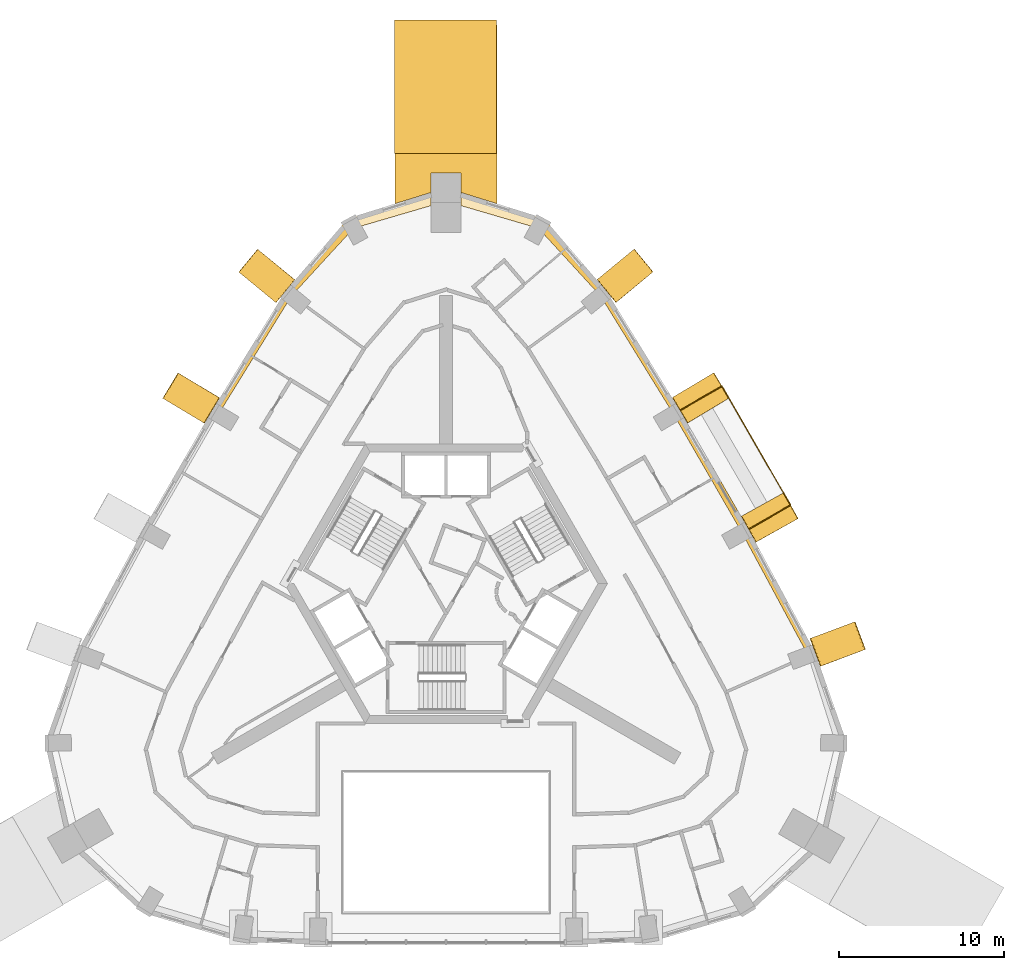
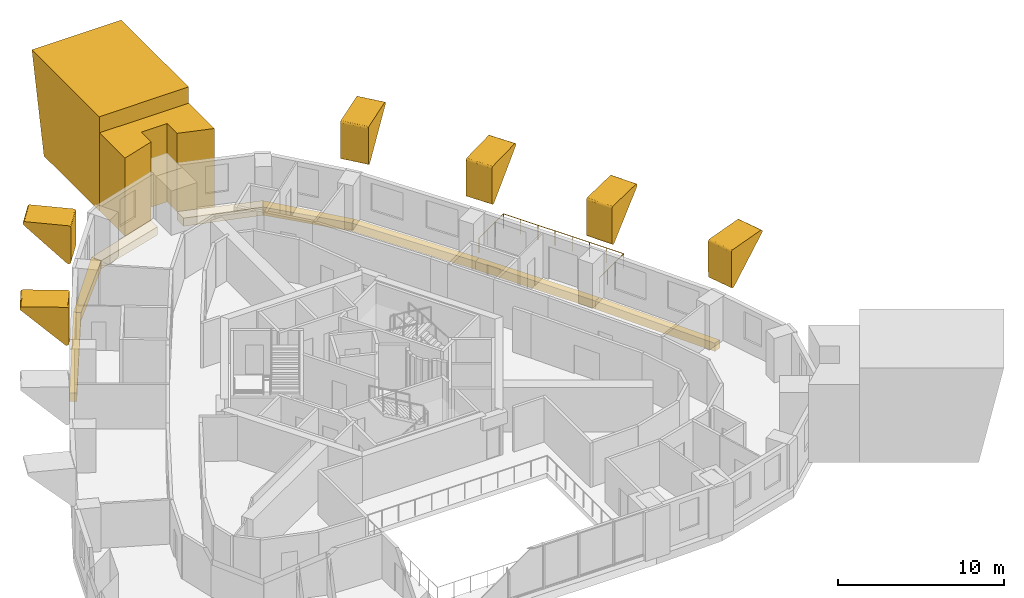
# One storey, part 11 of 11: 16 coverings, 1 railing.
"""IFC4 building model written with IfcOpenShell, lengths in metres."""

from ifc_helpers import new_model, si_unit, direction, frame, origin, origin_2d, place, context, subcontext, project, spatial, polyline, circle, outline, extrude, material, type_object, element, save


model = new_model("IFC4")

# Units and contexts
model_context = context("Model", 3, precision=1e-05, world=origin(), true_north=direction((0.0, 1.0)))
body_context = subcontext(model_context, "Body", "Model", "MODEL_VIEW")
ifc_project = project(units=[si_unit("LENGTHUNIT", "METRE"), si_unit("AREAUNIT", "SQUARE_METRE"), si_unit("VOLUMEUNIT", "CUBIC_METRE"), si_unit("PLANEANGLEUNIT", "RADIAN"), si_unit("MASSUNIT", "GRAM", prefix="KILO")], contexts=[model_context])

# Site, building, storey
site_placement = place(None, origin())
site = spatial("IfcSite", under=ifc_project, at=site_placement, CompositionType="ELEMENT")
building_placement = place(site_placement, origin())
building = spatial("IfcBuilding", under=site, at=building_placement, Name="Entoto Arch Interchange Tower", CompositionType="ELEMENT")
storey_placement = place(building_placement, frame((0.0, 0.0, 318.800048828125)))
storey = spatial("IfcBuildingStorey", under=building, at=storey_placement, Name="L75", CompositionType="ELEMENT", Elevation=318.800048828125)

# Railing
ifc_material_1 = material(Name="Stainless steel 1.4301", Category="steel")
railing_type = type_object("IfcRailingType", Name="GUARD 1100 STEEL AND GLASS", PredefinedType="GUARDRAIL", material=ifc_material_1)
railing_placement = place(storey_placement, frame((18.385986328125, 5.797119140625, 0.0)))
element("IfcRailing", 1, at=railing_placement, inside=storey, type_object=railing_type, Name="Balcony guard NE-02 L75", PredefinedType="GUARDRAIL", context=body_context, shape_type="SweptSolid", body=[
    extrude(circle(Radius=0.02392578125, at=origin_2d()), frame((0.0, 0.0, 1.076171875), z_axis=(0.866060182126, 0.499939757307, 0.0), x_axis=(-0.499939757307, 0.866060182126, 0.0)), (0.0, 0.0, 1.0), 2.949951171875),
    extrude(circle(Radius=0.02392578125, at=origin_2d()), frame((2.554931640625, 1.474853515625, 1.076171875), z_axis=(-0.500028026075, 0.866009222318, 0.0), x_axis=(-0.866009222318, -0.500028026075, 0.0)), (0.0, 0.0, 1.0), 8.34521484375),
    extrude(circle(Radius=0.02392578125, at=origin_2d()), frame((-1.617919921875, 8.701904296875, 1.076171875), z_axis=(-0.866045035609, -0.499965995141, 0.0), x_axis=(0.499965995141, -0.866045035609, 0.0)), (0.0, 0.0, 1.0), 2.950439453125),
    extrude(circle(Radius=0.02099609375, at=origin_2d()), origin(), (0.0, 0.0, 1.0), 1.052001953125),
    extrude(circle(Radius=0.02099609375, at=origin_2d()), frame((0.8515625, 0.49169921875, 0.0)), (0.0, 0.0, 1.0), 1.052001953125),
    extrude(circle(Radius=0.02099609375, at=origin_2d()), frame((1.703369140625, 0.983154296875, 0.0)), (0.0, 0.0, 1.0), 1.052001953125),
    extrude(circle(Radius=0.02099609375, at=origin_2d()), frame((2.554931640625, 1.474853515625, 0.0)), (0.0, 0.0, 1.0), 1.052001953125),
    extrude(circle(Radius=0.02099609375, at=origin_2d()), frame((1.958740234375, 2.50732421875, 0.0)), (0.0, 0.0, 1.0), 1.052001953125),
    extrude(circle(Radius=0.02099609375, at=origin_2d()), frame((1.36279296875, 3.539794921875, 0.0)), (0.0, 0.0, 1.0), 1.052001953125),
    extrude(circle(Radius=0.02099609375, at=origin_2d()), frame((0.7666015625, 4.572265625, 0.0)), (0.0, 0.0, 1.0), 1.052001953125),
    extrude(circle(Radius=0.02099609375, at=origin_2d()), frame((0.17041015625, 5.6044921875, 0.0)), (0.0, 0.0, 1.0), 1.052001953125),
    extrude(circle(Radius=0.02099609375, at=origin_2d()), frame((-0.42578125, 6.636962890625, 0.0)), (0.0, 0.0, 1.0), 1.052001953125),
    extrude(circle(Radius=0.02099609375, at=origin_2d()), frame((-1.021728515625, 7.66943359375, 0.0)), (0.0, 0.0, 1.0), 1.052001953125),
    extrude(circle(Radius=0.02099609375, at=origin_2d()), frame((-1.617919921875, 8.701904296875, 0.0)), (0.0, 0.0, 1.0), 1.052001953125),
    extrude(circle(Radius=0.02099609375, at=origin_2d()), frame((-2.4697265625, 8.210205078125, 0.0)), (0.0, 0.0, 1.0), 1.052001953125),
    extrude(circle(Radius=0.02099609375, at=origin_2d()), frame((-3.3212890625, 7.718505859375, 0.0)), (0.0, 0.0, 1.0), 1.052001953125),
    extrude(circle(Radius=0.02099609375, at=origin_2d()), frame((-4.173095703125, 7.226806640625, 0.0)), (0.0, 0.0, 1.0), 1.052001953125),
])

# Coverings
ifc_material_2 = material(Name="Board-marked precast concrete C50/60", Category="concrete")
covering_type_1 = type_object("IfcCoveringType", Name="PRECAST FRAME COURSE", PredefinedType="CLADDING", material=ifc_material_2)
covering_1_placement = place(storey_placement, frame((0.0, 0.0, -0.340087890625)))
element("IfcCovering", 2, at=covering_1_placement, inside=storey, type_object=covering_type_1, Name="Corner pilaster N L75-L76", PredefinedType="CLADDING", context=body_context, shape_type="SweptSolid", body=[
    extrude(outline(polyline([(-3.10009765625, 28.653076171875), (3.10009765625, 28.653076171875), (3.10009765625, 25.587890625), (0.89990234375, 26.27294921875), (0.89990234375, 27.452880859375), (-0.89990234375, 27.452880859375), (-0.89990234375, 26.27294921875), (-3.10009765625, 25.587890625), (-3.10009765625, 28.653076171875)])), origin(), (0.0, 0.0, 1.0), 5.739990234375),
])
covering_2_placement = place(storey_placement, frame((3.10009765625, 28.653076171875, -0.340087890625), z_axis=(0.999995423511, 0.0, 0.003025385437), x_axis=(0.0, 1.0, 0.0)))
element("IfcCovering", 3, at=covering_2_placement, inside=storey, type_object=covering_type_1, Name="Corner rib N L75-L76", PredefinedType="CLADDING", context=body_context, shape_type="SweptSolid", body=[
    extrude(outline(polyline([(0.0, 0.0), (6.679931640625, 0.0), (8.099853515625, 6.939973166960805), (0.0, 6.939973166960805), (0.0, 0.0)])), origin(), (0.0, 0.0, -1.0), 6.199951171875),
])
covering_3_placement = place(storey_placement, frame((22.986083984375, -2.44189453125, 3.83984375), z_axis=(0.350476861258, -0.936565615944, 0.003288883435), x_axis=(-0.77160744127, -0.290733827285, -0.565770093103)))
element("IfcCovering", 4, at=covering_3_placement, inside=storey, type_object=covering_type_1, Name="Fold rib NE01 L75-L76", PredefinedType="CLADDING", context=body_context, shape_type="SweptSolid", body=[
    extrude(outline(polyline([(0.0, 0.0), (0.044011299472285895, 3.469446951953614e-18), (0.08541335322425148, -0.011528531292492837), (0.12194360077555046, -0.035411157895245515), (0.14244897935591438, -0.056587446626764216), (0.16348383985083395, -0.09411235820596175), (0.17285908791050036, -0.13696446279680946), (0.1705449209649729, -0.18008453442460076), (0.15467172871407586, -0.22160304833491418), (-1.2679771288898345, -2.295443264390415), (-1.2869587855508655, -2.317652534504987), (-1.3090201166880573, -2.3362697576770683), (-1.3352745123722027, -2.349937335373267), (-1.3639021860197726, -2.358122963332513), (-1.3932192083614736, -2.361102362750701), (-1.4221800423851143, -2.3581079495479282), (-1.450370305698285, -2.348535800522719), (-1.4761321927407665, -2.334415426537529), (-3.649131987679757, -0.8434117420538527), (-3.672048418721622, -0.8241327506151528), (-3.689816236653382, -0.800987455735261), (-3.7039014634420058, -0.7744437574029011), (-3.711670601378433, -0.7460191503443521), (-3.714496830736909, -0.7162495686335006), (-3.711309349880536, -0.6867554833306728), (-3.7008528088619155, -0.6589900748049502), (-3.6866669798632135, -0.6323054835376998), (-3.667425962540914, -0.6102736032192431), (-3.643435538402648, -0.5926830270108834), (-3.616636727229076, -0.579687361643749), (-3.5876541538899955, -0.571740688273727), (0.0, 0.0)])), origin(), (0.0, 0.0, -1.0), 1.800048828125),
])
covering_4_placement = place(storey_placement, frame((19.0439453125, 5.133056640625, 3.837890625), z_axis=(0.48579100419, -0.874068304559, 0.003420411359), x_axis=(-0.71397931767, -0.399067802035, -0.575307242539)))
element("IfcCovering", 5, at=covering_4_placement, inside=storey, type_object=covering_type_1, Name="Fold rib NE02 L75-L76", PredefinedType="CLADDING", context=body_context, shape_type="SweptSolid", body=[
    extrude(outline(polyline([(0.0, 0.0), (0.04328404741835245, 0.0), (0.08434112830677812, -0.013058467178388475), (0.12117666778784511, -0.036281749712868294), (0.1488537541687778, -0.07067123589675707), (0.16577009135792206, -0.10943648499439892), (0.17041348112728869, -0.15299695273417938), (0.16287564067749366, -0.19545146660099671), (0.15113153049094608, -0.22241164504904384), (-1.2959179761678075, -2.281986670854663), (-1.3155033902523934, -2.303731477761609), (-1.3381292473555293, -2.3218440252259516), (-1.3645247131212856, -2.3352174495301967), (-1.3933599090180673, -2.34299179058173), (-1.4229932879386218, -2.345429687270927), (-1.4518510137498812, -2.342148195948071), (-1.4796038463259786, -2.3324738281146873), (-1.5051096522437095, -2.31812034771824), (-3.6788849805628994, -0.7891526931663861), (-3.7017939737280376, -0.7694587824012902), (-3.7195405840640476, -0.7459292158383557), (-3.73318101481263, -0.7193230234544732), (-3.7409032780505473, -0.6906092801445571), (-3.742809836361798, -0.6612112050073133), (-3.7384884938571608, -0.6311198452942688), (-3.729885086744924, -0.6031430316982334), (-3.714393220269633, -0.5773258076126431), (-3.6941485540434, -0.5548498766871897), (-3.6695980355652535, -0.537792993309143), (-3.643343025669257, -0.5246192590048924), (-3.614505627244239, -0.5180373231492688), (0.0, 0.0)])), origin(), (0.0, 0.0, -1.0), 1.800048828125),
])
covering_5_placement = place(storey_placement, frame((14.89208984375, 12.382080078125, 3.837890625), z_axis=(0.513865893795, -0.857866354491, 0.002676009406), x_axis=(-0.698502327704, -0.42021296773, -0.579237049872)))
element("IfcCovering", 6, at=covering_5_placement, inside=storey, type_object=covering_type_1, Name="Fold rib NE03 L75-L76", PredefinedType="CLADDING", context=body_context, shape_type="SweptSolid", body=[
    extrude(outline(polyline([(0.0, 0.0), (0.042991632081661985, 3.469446951953614e-18), (0.08495869146619389, -0.013946750569420206), (0.12121507623860507, -0.03701481626340409), (0.1482059959728168, -0.07117099461180265), (0.1658205179268352, -0.11064294214737067), (0.17004216291473337, -0.13939726174168846), (0.16604094767513672, -0.1829777460123817), (0.15018164246747623, -0.22322316105191542), (-1.3067936406109621, -2.27578900817189), (-1.3262493513203875, -2.297601964762074), (-1.3491974343808568, -2.3154406156172405), (-1.375830651369536, -2.3285612912920604), (-1.4044145541199298, -2.3364044106948665), (-1.4333631027036042, -2.3391938137650388), (-1.463301547480812, -2.3349919714684826), (-1.4906307474049, -2.3254552597794387), (-1.5161506632700041, -2.3109147016158356), (-3.6827533959051824, -0.7713591006408975), (-3.7052217671692187, -0.7518027742783762), (-3.723231436539611, -0.7279210474634705), (-3.736639530315656, -0.7013243502023851), (-3.7442094239996284, -0.6725814602831071), (-3.746207251218799, -0.6430102499859878), (-3.7417388099634654, -0.6129400263085962), (-3.7323069653026835, -0.5854988982738327), (-3.71668751055618, -0.5597588057877056), (-3.6964263072337897, -0.537317058270061), (-3.672381553847119, -0.519959556965409), (-3.64537815376927, -0.5074026635582551), (-3.6171893794055427, -0.5004771836820803), (0.0, 0.0)])), origin(), (0.0, 0.0, -1.0), 1.800048828125),
])
covering_6_placement = place(storey_placement, frame((10.52197265625, 19.738037109375, 3.83984375), z_axis=(0.635529666196, -0.772070529336, 0.00302342781), x_axis=(-0.631818155796, -0.522323647346, -0.572698721345)))
element("IfcCovering", 7, at=covering_6_placement, inside=storey, type_object=covering_type_1, Name="Fold rib NE04 L75-L76", PredefinedType="CLADDING", context=body_context, shape_type="SweptSolid", body=[
    extrude(outline(polyline([(0.0, 0.0), (0.04347741351436205, -3.469446951953614e-18), (0.08580893948636448, -0.012595775437765445), (0.12121954669483538, -0.03614375153370303), (0.1411831244812057, -0.05723831222851523), (0.16300190895333722, -0.09571207135778914), (0.17125006617444274, -0.13810561063383334), (0.16833125160626747, -0.1810365473103553), (0.1529887183688391, -0.22303257269836346), (-1.2868799247095204, -2.2849522616947637), (-1.3057725717469086, -2.3071947137283484), (-1.3293732729029184, -2.324658755086848), (-1.3553765157064608, -2.3383610972609046), (-1.3841774058504794, -2.3462342338516806), (-1.4131496273029498, -2.349223018172011), (-1.4426944444919472, -2.345559795278627), (-1.4699901045243895, -2.3363149962716645), (-1.4961142587709584, -2.3216384466878854), (-3.656109278394319, -0.8126309899694697), (-3.678877776070509, -0.7931511570776819), (-3.6971779590273672, -0.7693464822278853), (-3.710501634605909, -0.7430643920842037), (-3.7184066186904046, -0.7143100993502915), (-3.7204587749281313, -0.6848825237844347), (-3.7171577565635685, -0.6553222470094926), (-3.7069115797001313, -0.6273381920376297), (-3.6914579412993422, -0.6015011084471855), (-3.672565294261954, -0.5792586564136006), (-3.648207764164409, -0.5620278210365188), (-3.6217273304668627, -0.54895895845288), (-3.5924163586359823, -0.5414393929271666), (0.0, 0.0)])), origin(), (0.0, 0.0, -1.0), 1.800048828125),
])
covering_7_placement = place(storey_placement, frame((-9.376953125, 21.1279296875, 3.83984375), z_axis=(0.635730750888, 0.771904725084, 0.003083466844), x_axis=(0.632016346777, -0.518218796954, -0.576198417119)))
element("IfcCovering", 8, at=covering_7_placement, inside=storey, type_object=covering_type_1, Name="Fold rib NW01 L75-L76", PredefinedType="CLADDING", context=body_context, shape_type="SweptSolid", body=[
    extrude(outline(polyline([(0.0, 0.0), (0.0432145028333157, -6.938893903907228e-18), (0.08485723810692027, -0.012330168784473641), (0.1215716531135042, -0.03701872808918775), (0.14082771629381852, -0.05776556737898143), (0.16235626043315599, -0.09624083652031923), (0.17054940936596022, -0.13875945661495298), (0.16732032116181833, -0.18158796198971844), (0.15102777926203967, -0.2229755959739779), (-1.2973552008075595, -2.278923946667892), (-1.315835820338606, -2.3014436676423733), (-1.339510274325892, -2.318805548564889), (-1.366187047207721, -2.3319606530285046), (-1.3938988218264676, -2.3405041687091277), (-1.4240072282744554, -2.342577252645338), (-1.4530284906793505, -2.3391449550270824), (-1.48030294003539, -2.3297717313796755), (-1.5062372088263867, -2.315072938606429), (-3.660376714756035, -0.7964095793789554), (-3.6825984366099647, -0.7771565787329906), (-3.7006429485120966, -0.7533829714104137), (-3.713500920304566, -0.727293348721697), (-3.721636487245632, -0.6982569326438934), (-3.723562028738466, -0.6688196491795779), (-3.720134685100906, -0.6392738107051099), (-3.7097688049841366, -0.6113335935608262), (-3.6947125246726715, -0.5852057074770445), (-3.6746025555901753, -0.5638380217349197), (-3.6515743203319975, -0.5457188762448433), (-3.624377846982035, -0.5332311301344754), (-3.5955427958557387, -0.5254800248289575), (0.0, 0.0)])), origin(), (0.0, 0.0, -1.0), 1.800048828125),
])
covering_8_placement = place(storey_placement, frame((-13.967041015625, 13.926025390625, 3.837890625), z_axis=(0.514193691308, 0.857667894444, 0.003260468996), x_axis=(0.700113306967, -0.417533742146, -0.579229601779)))
element("IfcCovering", 9, at=covering_8_placement, inside=storey, type_object=covering_type_1, Name="Fold rib NW02 L75-L76", PredefinedType="CLADDING", context=body_context, shape_type="SweptSolid", body=[
    extrude(outline(polyline([(0.0, 0.0), (0.0429914192034236, 0.0), (0.08495772172260802, -0.013947820454574406), (0.12121460955493547, -0.037015080459559986), (0.14820757614838687, -0.07116817199438226), (0.1662305121612275, -0.11093249681746128), (0.17004226896194807, -0.13939753600417545), (0.16604257854795948, -0.1829761493437012), (0.15059214993601674, -0.22351347123189708), (-1.3072613809407077, -2.2754555367843805), (-1.3264434151964581, -2.297463352698197), (-1.348981473563696, -2.3155918177541603), (-1.3754442660329262, -2.3288346426646354), (-1.4041976703920662, -2.3365548334065402), (-1.4338310245196633, -2.3388624736589465), (-1.4626776000231274, -2.33543704022558), (-1.4904150934202343, -2.3256082223958137), (-1.5159355973533117, -2.3110686321435736), (-3.6832353811185574, -0.771048213062387), (-3.7052929724521446, -0.7517799890808634), (-3.72302958551071, -0.7280935209498911), (-3.73660965513821, -0.7013758195743158), (-3.7438375610964703, -0.6728758172566636), (-3.7460052317802153, -0.6431815330639865), (-3.74153794931538, -0.6131127593204995), (-3.7321065979764514, -0.5856719982062659), (-3.7164878969035824, -0.5599326666047899), (-3.696635178233908, -0.5371985734752402), (-3.6725913911441737, -0.519842218523678), (-3.645586307750605, -0.5072822205249521), (-3.6167148528981166, -0.5008418961884331), (0.0, 0.0)])), origin(), (0.0, 0.0, -1.0), 1.800048828125),
])
covering_type_2 = type_object("IfcCoveringType", Name="PRECAST LEDGE COURSE", PredefinedType="CLADDING", material=ifc_material_2)
covering_9_placement = place(storey_placement, frame((0.0, 0.0, -0.93994140625)))
element("IfcCovering", 10, at=covering_9_placement, inside=storey, type_object=covering_type_2, Name="Precast course NE-01 L75", PredefinedType="CLADDING", context=body_context, shape_type="SweptSolid", body=[
    extrude(outline(polyline([(17.990966796875, 5.577880859375), (18.385986328125, 5.797119140625), (22.43310546875, -1.68798828125), (21.99609375, -1.85205078125), (17.990966796875, 5.577880859375)])), origin(), (0.0, 0.0, 1.0), 0.599853515625),
])
covering_10_placement = place(storey_placement, frame((0.0, 0.0, -0.93994140625)))
element("IfcCovering", 11, at=covering_10_placement, inside=storey, type_object=covering_type_2, Name="Precast course NE-02 L75", PredefinedType="CLADDING", context=body_context, shape_type="SweptSolid", body=[
    extrude(outline(polyline([(13.825927734375, 12.7919921875), (14.212890625, 13.02392578125), (18.385986328125, 5.797119140625), (17.990966796875, 5.577880859375), (13.825927734375, 12.7919921875)])), origin(), (0.0, 0.0, 1.0), 0.599853515625),
])
covering_11_placement = place(storey_placement, frame((0.0, 0.0, -0.93994140625)))
element("IfcCovering", 12, at=covering_11_placement, inside=storey, type_object=covering_type_2, Name="Precast course NE-03 L75", PredefinedType="CLADDING", context=body_context, shape_type="SweptSolid", body=[
    extrude(outline(polyline([(9.39404296875, 19.97509765625), (9.75390625, 20.27197265625), (14.212890625, 13.02392578125), (13.825927734375, 12.7919921875), (9.39404296875, 19.97509765625)])), origin(), (0.0, 0.0, 1.0), 0.599853515625),
])
covering_12_placement = place(storey_placement, frame((0.0, 0.0, -0.93994140625)))
element("IfcCovering", 13, at=covering_12_placement, inside=storey, type_object=covering_type_2, Name="Precast course N-01 L75", PredefinedType="CLADDING", context=body_context, shape_type="SweptSolid", body=[
    extrude(outline(polyline([(5.616943359375, 24.093994140625), (5.947998046875, 24.700927734375), (9.75390625, 20.27197265625), (9.39404296875, 19.97509765625), (5.616943359375, 24.093994140625)])), origin(), (0.0, 0.0, 1.0), 0.599853515625),
])
covering_13_placement = place(storey_placement, frame((0.0, 0.0, -0.93994140625)))
element("IfcCovering", 14, at=covering_13_placement, inside=storey, type_object=covering_type_2, Name="Precast course N-02 L75", PredefinedType="CLADDING", context=body_context, shape_type="SweptSolid", body=[
    extrude(outline(polyline([(0.89990234375, 25.47412109375), (0.89990234375, 26.27294921875), (5.947998046875, 24.700927734375), (5.616943359375, 24.093994140625), (0.89990234375, 25.47412109375)])), origin(), (0.0, 0.0, 1.0), 0.599853515625),
])
covering_14_placement = place(storey_placement, frame((0.0, 0.0, -0.93994140625)))
element("IfcCovering", 15, at=covering_14_placement, inside=storey, type_object=covering_type_2, Name="Precast course N-03 L75", PredefinedType="CLADDING", context=body_context, shape_type="SweptSolid", body=[
    extrude(outline(polyline([(-5.616943359375, 24.093994140625), (-5.947998046875, 24.700927734375), (-0.89990234375, 26.27294921875), (-0.89990234375, 25.47412109375), (-5.616943359375, 24.093994140625)])), origin(), (0.0, 0.0, 1.0), 0.599853515625),
])
covering_15_placement = place(storey_placement, frame((0.0, 0.0, -0.93994140625)))
element("IfcCovering", 16, at=covering_15_placement, inside=storey, type_object=covering_type_2, Name="Precast course N-04 L75", PredefinedType="CLADDING", context=body_context, shape_type="SweptSolid", body=[
    extrude(outline(polyline([(-9.39404296875, 19.97509765625), (-9.75390625, 20.27197265625), (-5.947998046875, 24.700927734375), (-5.616943359375, 24.093994140625), (-9.39404296875, 19.97509765625)])), origin(), (0.0, 0.0, 1.0), 0.599853515625),
])
covering_16_placement = place(storey_placement, frame((0.0, 0.0, -0.93994140625)))
element("IfcCovering", 17, at=covering_16_placement, inside=storey, type_object=covering_type_2, Name="Precast course NW-01 L75", PredefinedType="CLADDING", context=body_context, shape_type="SweptSolid", body=[
    extrude(outline(polyline([(-13.825927734375, 12.7919921875), (-14.212890625, 13.02392578125), (-9.75390625, 20.27197265625), (-9.39404296875, 19.97509765625), (-13.825927734375, 12.7919921875)])), origin(), (0.0, 0.0, 1.0), 0.599853515625),
])

save(model, "model.ifc")
